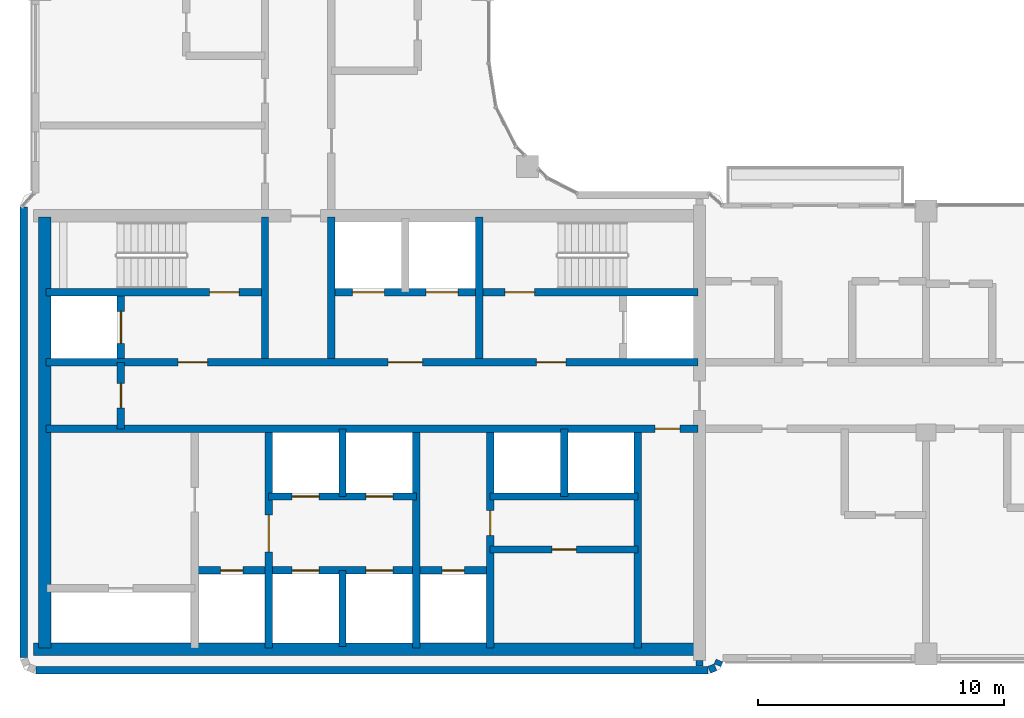
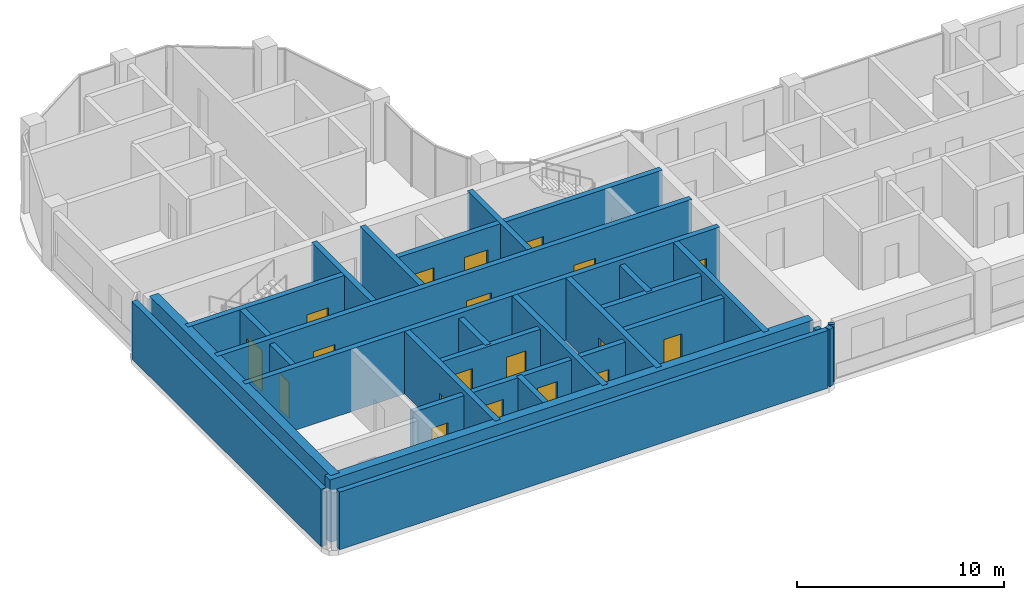
# One storey, part 10 of 19: 27 walls, 19 doors, 19 openings.
"""IFC4 building model written with IfcOpenShell, lengths in metres."""

from ifc_helpers import new_model, si_unit, direction, frame, frame_2d, origin, place, context, subcontext, project, spatial, rectangle, extrude, material, layer, layer_set, type_object, element, fill, save


model = new_model("IFC4")

# Units and contexts
model_context = context("Model", 3, precision=1e-05, world=origin(), true_north=direction((0.0, 1.0)))
body_context = subcontext(model_context, "Body", "Model", "MODEL_VIEW")
ifc_project = project(units=[si_unit("LENGTHUNIT", "METRE"), si_unit("AREAUNIT", "SQUARE_METRE"), si_unit("VOLUMEUNIT", "CUBIC_METRE"), si_unit("PLANEANGLEUNIT", "RADIAN"), si_unit("MASSUNIT", "GRAM", prefix="KILO")], contexts=[model_context])

# Site, building, storey
site_placement = place(None, origin())
site = spatial("IfcSite", under=ifc_project, at=site_placement, CompositionType="ELEMENT")
building_placement = place(site_placement, origin())
building = spatial("IfcBuilding", under=site, at=building_placement, Name="Ogive Portal Towers", CompositionType="ELEMENT")
storey_placement = place(building_placement, frame((0.0, 0.0, 218.0)))
storey = spatial("IfcBuildingStorey", under=building, at=storey_placement, Name="L54", CompositionType="ELEMENT", Elevation=218.0)

# Wall, opening, door
ifc_material_1 = material(Name="Concrete C60/75", Category="concrete")
ifc_layer_1 = layer(ifc_material_1, 0.300048828125)
ifc_layer_set_1 = layer_set([ifc_layer_1], Name="CORE WALL 300 C60")
wall_type_1 = type_object("IfcWallType", Name="CORE WALL 300 C60", PredefinedType="SHEAR", material=ifc_layer_set_1)
wall_1_placement = place(storey_placement, frame((40.800048828125, 21.75, 0.0), z_axis=(0.0, 0.0, 1.0), x_axis=(0.0, 1.0, 0.0)))
wall_1 = element("IfcWall", 1, at=wall_1_placement, inside=storey, type_object=wall_type_1, Name="Core wall X2 L54", PredefinedType="SHEAR", context=body_context, shape_type="SweptSolid", body=[
    extrude(rectangle(XDim=8.75, YDim=0.300048828125, at=frame_2d((4.375, 0.0))), origin(), (0.0, 0.0, 1.0), 3.699951171875),
])
opening_1_placement = place(wall_1_placement, frame((3.89990234375, 0.0, 0.0)))
opening_1 = element("IfcOpeningElement", 2, at=opening_1_placement, cuts=wall_1, Name="Opening D24-001", PredefinedType="OPENING", context=body_context, shape_type="SweptSolid", body=[
    extrude(rectangle(XDim=1.5, YDim=2.10009765625, at=frame_2d((0.75, 1.050048828125))), frame((0.0, 0.16015625, 0.0), z_axis=(0.0, -1.0, 0.0), x_axis=(1.0, 0.0, 0.0)), (0.0, 0.0, 1.0), 0.320068359375),
])
ifc_material_2 = material(Name="Steel fire door", Category="steel")
door_type_1 = type_object("IfcDoorType", Name="DT-SWING-1500x2100-FD90S", OperationType="SINGLE_SWING_LEFT", PredefinedType="DOOR", material=ifc_material_2)
door_1_placement = place(opening_1_placement, origin())
door_1 = element("IfcDoor", 3, at=door_1_placement, inside=storey, type_object=door_type_1, Name="Door D24-001", OperationType="SINGLE_SWING_RIGHT", OverallHeight=2.10009765625, OverallWidth=1.5, PredefinedType="DOOR", context=body_context, shape_type="SweptSolid", body=[
    extrude(rectangle(XDim=1.5, YDim=2.10009765625, at=frame_2d((0.75, 1.050048828125))), frame((0.0, 0.02490234375, 0.0), z_axis=(0.0, -1.0, 0.0), x_axis=(1.0, 0.0, 0.0)), (0.0, 0.0, 1.0), 0.050048828125),
])
fill(opening_1, door_1)

# Wall
wall_2_placement = place(storey_placement, frame((46.800048828125, 21.75, 0.0), z_axis=(0.0, 0.0, 1.0), x_axis=(0.0, 1.0, 0.0)))
element("IfcWall", 4, at=wall_2_placement, inside=storey, type_object=wall_type_1, Name="Core wall X3 L54", PredefinedType="SHEAR", context=body_context, shape_type="SweptSolid", body=[
    extrude(rectangle(XDim=8.75, YDim=0.300048828125, at=frame_2d((4.375, 0.0))), origin(), (0.0, 0.0, 1.0), 3.699951171875),
])

# Wall, opening, door
wall_3_placement = place(storey_placement, frame((49.800048828125, 21.75, 0.0), z_axis=(0.0, 0.0, 1.0), x_axis=(0.0, 1.0, 0.0)))
wall_3 = element("IfcWall", 5, at=wall_3_placement, inside=storey, type_object=wall_type_1, Name="Core wall X4 L54", PredefinedType="SHEAR", context=body_context, shape_type="SweptSolid", body=[
    extrude(rectangle(XDim=8.75, YDim=0.300048828125, at=frame_2d((4.375, 0.0))), origin(), (0.0, 0.0, 1.0), 3.699951171875),
])
opening_2_placement = place(wall_3_placement, frame((4.574951171875, 0.0, 0.0)))
opening_2 = element("IfcOpeningElement", 6, at=opening_2_placement, cuts=wall_3, Name="Opening D24-022", PredefinedType="OPENING", context=body_context, shape_type="SweptSolid", body=[
    extrude(rectangle(XDim=1.0, YDim=2.10009765625, at=frame_2d((0.5, 1.050048828125))), frame((0.0, 0.16015625, 0.0), z_axis=(0.0, -1.0, 0.0), x_axis=(1.0, 0.0, 0.0)), (0.0, 0.0, 1.0), 0.320068359375),
])
door_type_2 = type_object("IfcDoorType", Name="DT-SWING-1000x2100-FD90S", OperationType="SINGLE_SWING_LEFT", PredefinedType="DOOR", material=ifc_material_2)
door_2_placement = place(opening_2_placement, origin())
door_2 = element("IfcDoor", 7, at=door_2_placement, inside=storey, type_object=door_type_2, Name="Door D24-022", OperationType="SINGLE_SWING_LEFT", OverallHeight=2.10009765625, OverallWidth=1.0, PredefinedType="DOOR", context=body_context, shape_type="SweptSolid", body=[
    extrude(rectangle(XDim=1.0, YDim=2.10009765625, at=frame_2d((0.5, 1.050048828125))), frame((0.0, 0.02490234375, 0.0), z_axis=(0.0, -1.0, 0.0), x_axis=(1.0, 0.0, 0.0)), (0.0, 0.0, 1.0), 0.050048828125),
])
fill(opening_2, door_2)

# Wall
wall_4_placement = place(storey_placement, frame((55.800048828125, 21.75, 0.0), z_axis=(0.0, 0.0, 1.0), x_axis=(0.0, 1.0, 0.0)))
element("IfcWall", 8, at=wall_4_placement, inside=storey, type_object=wall_type_1, Name="Core wall X5 L54", PredefinedType="SHEAR", context=body_context, shape_type="SweptSolid", body=[
    extrude(rectangle(XDim=8.75, YDim=0.300048828125, at=frame_2d((4.375, 0.0))), origin(), (0.0, 0.0, 1.0), 3.699951171875),
])

# Wall, opening, door
wall_5_placement = place(storey_placement, frame((31.75, 30.64990234375, 0.0), z_axis=(0.0, 0.0, 1.0), x_axis=(1.0, 0.0, 0.0)))
wall_5 = element("IfcWall", 9, at=wall_5_placement, inside=storey, type_object=wall_type_1, Name="Core wall Y1 L54", PredefinedType="SHEAR", context=body_context, shape_type="SweptSolid", body=[
    extrude(rectangle(XDim=26.5, YDim=0.300048828125, at=frame_2d((13.25, 0.0))), origin(), (0.0, 0.0, 1.0), 3.699951171875),
])
opening_3_placement = place(wall_5_placement, frame((24.75, 0.0, 0.0)))
opening_3 = element("IfcOpeningElement", 10, at=opening_3_placement, cuts=wall_5, Name="Opening D24-009", PredefinedType="OPENING", context=body_context, shape_type="SweptSolid", body=[
    extrude(rectangle(XDim=1.0, YDim=2.10009765625, at=frame_2d((0.5, 1.050048828125))), frame((0.0, 0.16015625, 0.0), z_axis=(0.0, -1.0, 0.0), x_axis=(1.0, 0.0, 0.0)), (0.0, 0.0, 1.0), 0.320068359375),
])
door_3_placement = place(opening_3_placement, origin())
door_3 = element("IfcDoor", 11, at=door_3_placement, inside=storey, type_object=door_type_2, Name="Door D24-009", OperationType="SINGLE_SWING_LEFT", OverallHeight=2.10009765625, OverallWidth=1.0, PredefinedType="DOOR", context=body_context, shape_type="SweptSolid", body=[
    extrude(rectangle(XDim=1.0, YDim=2.10009765625, at=frame_2d((0.5, 1.050048828125))), frame((0.0, 0.02490234375, 0.0), z_axis=(0.0, -1.0, 0.0), x_axis=(1.0, 0.0, 0.0)), (0.0, 0.0, 1.0), 0.050048828125),
])
fill(opening_3, door_3)

# Wall, openings, doors
wall_6_placement = place(storey_placement, frame((31.75, 33.35009765625, 0.0), z_axis=(0.0, 0.0, 1.0), x_axis=(1.0, 0.0, 0.0)))
wall_6 = element("IfcWall", 12, at=wall_6_placement, inside=storey, type_object=wall_type_1, Name="Core wall Y2 L54", PredefinedType="SHEAR", context=body_context, shape_type="SweptSolid", body=[
    extrude(rectangle(XDim=26.5, YDim=0.300048828125, at=frame_2d((13.25, 0.0))), origin(), (0.0, 0.0, 1.0), 3.699951171875),
])
opening_4_placement = place(wall_6_placement, frame((13.89990234375, 0.0, 0.0)))
opening_4 = element("IfcOpeningElement", 13, at=opening_4_placement, cuts=wall_6, Name="Opening D24-002", PredefinedType="OPENING", context=body_context, shape_type="SweptSolid", body=[
    extrude(rectangle(XDim=1.39990234375, YDim=2.10009765625, at=frame_2d((0.699951171875, 1.050048828125))), frame((0.0, 0.16015625, 0.0), z_axis=(0.0, -1.0, 0.0), x_axis=(1.0, 0.0, 0.0)), (0.0, 0.0, 1.0), 0.320068359375),
])
opening_5_placement = place(wall_6_placement, frame((5.375, 0.0, 0.0)))
opening_5 = element("IfcOpeningElement", 14, at=opening_5_placement, cuts=wall_6, Name="Opening D24-003", PredefinedType="OPENING", context=body_context, shape_type="SweptSolid", body=[
    extrude(rectangle(XDim=1.199951171875, YDim=2.10009765625, at=frame_2d((0.60009765625, 1.050048828125))), frame((0.0, 0.16015625, 0.0), z_axis=(0.0, -1.0, 0.0), x_axis=(1.0, 0.0, 0.0)), (0.0, 0.0, 1.0), 0.320068359375),
])
opening_6_placement = place(wall_6_placement, frame((19.925048828125, 0.0, 0.0)))
opening_6 = element("IfcOpeningElement", 15, at=opening_6_placement, cuts=wall_6, Name="Opening D24-004", PredefinedType="OPENING", context=body_context, shape_type="SweptSolid", body=[
    extrude(rectangle(XDim=1.199951171875, YDim=2.10009765625, at=frame_2d((0.60009765625, 1.050048828125))), frame((0.0, 0.16015625, 0.0), z_axis=(0.0, -1.0, 0.0), x_axis=(1.0, 0.0, 0.0)), (0.0, 0.0, 1.0), 0.320068359375),
])
door_type_3 = type_object("IfcDoorType", Name="DT-SWING-1200x2100-FD90S", OperationType="SINGLE_SWING_LEFT", PredefinedType="DOOR", material=ifc_material_2)
door_4_placement = place(opening_5_placement, origin())
door_4 = element("IfcDoor", 16, at=door_4_placement, inside=storey, type_object=door_type_3, Name="Door D24-003", OperationType="SINGLE_SWING_LEFT", OverallHeight=2.10009765625, OverallWidth=1.199951171875, PredefinedType="DOOR", context=body_context, shape_type="SweptSolid", body=[
    extrude(rectangle(XDim=1.199951171875, YDim=2.10009765625, at=frame_2d((0.60009765625, 1.050048828125))), frame((0.0, 0.02490234375, 0.0), z_axis=(0.0, -1.0, 0.0), x_axis=(1.0, 0.0, 0.0)), (0.0, 0.0, 1.0), 0.050048828125),
])
fill(opening_5, door_4)
door_5_placement = place(opening_6_placement, origin())
door_5 = element("IfcDoor", 17, at=door_5_placement, inside=storey, type_object=door_type_3, Name="Door D24-004", OperationType="SINGLE_SWING_RIGHT", OverallHeight=2.10009765625, OverallWidth=1.199951171875, PredefinedType="DOOR", context=body_context, shape_type="SweptSolid", body=[
    extrude(rectangle(XDim=1.199951171875, YDim=2.10009765625, at=frame_2d((0.60009765625, 1.050048828125))), frame((0.0, 0.02490234375, 0.0), z_axis=(0.0, -1.0, 0.0), x_axis=(1.0, 0.0, 0.0)), (0.0, 0.0, 1.0), 0.050048828125),
])
fill(opening_6, door_5)
door_type_4 = type_object("IfcDoorType", Name="DT-SWING-1400x2100-FD90S", OperationType="SINGLE_SWING_LEFT", PredefinedType="DOOR", material=ifc_material_2)
door_6_placement = place(opening_4_placement, origin())
door_6 = element("IfcDoor", 18, at=door_6_placement, inside=storey, type_object=door_type_4, Name="Door D24-002", OperationType="SINGLE_SWING_RIGHT", OverallHeight=2.10009765625, OverallWidth=1.39990234375, PredefinedType="DOOR", context=body_context, shape_type="SweptSolid", body=[
    extrude(rectangle(XDim=1.39990234375, YDim=2.10009765625, at=frame_2d((0.699951171875, 1.050048828125))), frame((0.0, 0.02490234375, 0.0), z_axis=(0.0, -1.0, 0.0), x_axis=(1.0, 0.0, 0.0)), (0.0, 0.0, 1.0), 0.050048828125),
])
fill(opening_4, door_6)

# Wall, opening, door
wall_7_placement = place(storey_placement, frame((31.75, 36.199951171875, 0.0), z_axis=(0.0, 0.0, 1.0), x_axis=(1.0, 0.0, 0.0)))
wall_7 = element("IfcWall", 19, at=wall_7_placement, inside=storey, type_object=wall_type_1, Name="Core wall Y3a L54", PredefinedType="SHEAR", context=body_context, shape_type="SweptSolid", body=[
    extrude(rectangle(XDim=8.75, YDim=0.300048828125, at=frame_2d((4.375, 0.0))), origin(), (0.0, 0.0, 1.0), 3.699951171875),
])
opening_7_placement = place(wall_7_placement, frame((6.64990234375, 0.0, 0.0)))
opening_7 = element("IfcOpeningElement", 20, at=opening_7_placement, cuts=wall_7, Name="Opening D24-005", PredefinedType="OPENING", context=body_context, shape_type="SweptSolid", body=[
    extrude(rectangle(XDim=1.199951171875, YDim=2.10009765625, at=frame_2d((0.60009765625, 1.050048828125))), frame((0.0, 0.16015625, 0.0), z_axis=(0.0, -1.0, 0.0), x_axis=(1.0, 0.0, 0.0)), (0.0, 0.0, 1.0), 0.320068359375),
])
door_7_placement = place(opening_7_placement, origin())
door_7 = element("IfcDoor", 21, at=door_7_placement, inside=storey, type_object=door_type_3, Name="Door D24-005", OperationType="SINGLE_SWING_RIGHT", OverallHeight=2.10009765625, OverallWidth=1.199951171875, PredefinedType="DOOR", context=body_context, shape_type="SweptSolid", body=[
    extrude(rectangle(XDim=1.199951171875, YDim=2.10009765625, at=frame_2d((0.60009765625, 1.050048828125))), frame((0.0, 0.02490234375, 0.0), z_axis=(0.0, -1.0, 0.0), x_axis=(1.0, 0.0, 0.0)), (0.0, 0.0, 1.0), 0.050048828125),
])
fill(opening_7, door_7)

# Wall, openings, doors
wall_8_placement = place(storey_placement, frame((43.5, 36.199951171875, 0.0), z_axis=(0.0, 0.0, 1.0), x_axis=(1.0, 0.0, 0.0)))
wall_8 = element("IfcWall", 22, at=wall_8_placement, inside=storey, type_object=wall_type_1, Name="Core wall Y3b L54", PredefinedType="SHEAR", context=body_context, shape_type="SweptSolid", body=[
    extrude(rectangle(XDim=14.75, YDim=0.300048828125, at=frame_2d((7.375, 0.0))), origin(), (0.0, 0.0, 1.0), 3.699951171875),
])
opening_8_placement = place(wall_8_placement, frame((6.89990234375, 0.0, 0.0)))
opening_8 = element("IfcOpeningElement", 23, at=opening_8_placement, cuts=wall_8, Name="Opening D24-006", PredefinedType="OPENING", context=body_context, shape_type="SweptSolid", body=[
    extrude(rectangle(XDim=1.199951171875, YDim=2.10009765625, at=frame_2d((0.60009765625, 1.050048828125))), frame((0.0, 0.16015625, 0.0), z_axis=(0.0, -1.0, 0.0), x_axis=(1.0, 0.0, 0.0)), (0.0, 0.0, 1.0), 0.320068359375),
])
opening_9_placement = place(wall_8_placement, frame((0.699951171875, 0.0, 0.0)))
opening_9 = element("IfcOpeningElement", 24, at=opening_9_placement, cuts=wall_8, Name="Opening D24-016", PredefinedType="OPENING", context=body_context, shape_type="SweptSolid", body=[
    extrude(rectangle(XDim=1.300048828125, YDim=2.39990234375, at=frame_2d((0.64990234375, 1.199951171875))), frame((0.0, 0.16015625, 0.0), z_axis=(0.0, -1.0, 0.0), x_axis=(1.0, 0.0, 0.0)), (0.0, 0.0, 1.0), 0.320068359375),
])
opening_10_placement = place(wall_8_placement, frame((3.699951171875, 0.0, 0.0)))
opening_10 = element("IfcOpeningElement", 25, at=opening_10_placement, cuts=wall_8, Name="Opening D24-017", PredefinedType="OPENING", context=body_context, shape_type="SweptSolid", body=[
    extrude(rectangle(XDim=1.300048828125, YDim=2.39990234375, at=frame_2d((0.64990234375, 1.199951171875))), frame((0.0, 0.16015625, 0.0), z_axis=(0.0, -1.0, 0.0), x_axis=(1.0, 0.0, 0.0)), (0.0, 0.0, 1.0), 0.320068359375),
])
ifc_material_3 = material(Name="Stainless steel", Category="steel")
door_type_5 = type_object("IfcDoorType", Name="DT-LD-1300x2400", OperationType="SLIDING_TO_LEFT", PredefinedType="DOOR", material=ifc_material_3)
door_8_placement = place(opening_9_placement, origin())
door_8 = element("IfcDoor", 26, at=door_8_placement, inside=storey, type_object=door_type_5, Name="Door D24-016", OperationType="SLIDING_TO_LEFT", OverallHeight=2.39990234375, OverallWidth=1.300048828125, PredefinedType="DOOR", context=body_context, shape_type="SweptSolid", body=[
    extrude(rectangle(XDim=1.300048828125, YDim=2.39990234375, at=frame_2d((0.64990234375, 1.199951171875))), frame((0.0, 0.02490234375, 0.0), z_axis=(0.0, -1.0, 0.0), x_axis=(1.0, 0.0, 0.0)), (0.0, 0.0, 1.0), 0.050048828125),
])
fill(opening_9, door_8)
door_9_placement = place(opening_10_placement, origin())
door_9 = element("IfcDoor", 27, at=door_9_placement, inside=storey, type_object=door_type_5, Name="Door D24-017", OperationType="SLIDING_TO_LEFT", OverallHeight=2.39990234375, OverallWidth=1.300048828125, PredefinedType="DOOR", context=body_context, shape_type="SweptSolid", body=[
    extrude(rectangle(XDim=1.300048828125, YDim=2.39990234375, at=frame_2d((0.64990234375, 1.199951171875))), frame((0.0, 0.02490234375, 0.0), z_axis=(0.0, -1.0, 0.0), x_axis=(1.0, 0.0, 0.0)), (0.0, 0.0, 1.0), 0.050048828125),
])
fill(opening_10, door_9)
door_10_placement = place(opening_8_placement, origin())
door_10 = element("IfcDoor", 28, at=door_10_placement, inside=storey, type_object=door_type_3, Name="Door D24-006", OperationType="SINGLE_SWING_LEFT", OverallHeight=2.10009765625, OverallWidth=1.199951171875, PredefinedType="DOOR", context=body_context, shape_type="SweptSolid", body=[
    extrude(rectangle(XDim=1.199951171875, YDim=2.10009765625, at=frame_2d((0.60009765625, 1.050048828125))), frame((0.0, 0.02490234375, 0.0), z_axis=(0.0, -1.0, 0.0), x_axis=(1.0, 0.0, 0.0)), (0.0, 0.0, 1.0), 0.050048828125),
])
fill(opening_8, door_10)

# Walls
for number, where, z_axis, x_axis, name in (
    (29, (40.64990234375, 33.5, 0.0), (0.0, 0.0, 1.0), (0.0, 1.0, 0.0), "Core wall X6 L54"),
    (30, (43.35009765625, 33.5, 0.0), (0.0, 0.0, 1.0), (0.0, 1.0, 0.0), "Core wall X7 L54"),
):
    element("IfcWall", number, at=place(storey_placement, frame(where, z_axis=z_axis, x_axis=x_axis)), inside=storey, type_object=wall_type_1, Name=name, PredefinedType="SHEAR", context=body_context, shape_type="SweptSolid", body=[
        extrude(rectangle(XDim=5.75, YDim=0.300048828125, at=frame_2d((2.875, 0.0))), origin(), (0.0, 0.0, 1.0), 3.699951171875),
    ])

# Wall, opening, door
wall_9_placement = place(storey_placement, frame((34.800048828125, 33.5, 0.0), z_axis=(0.0, 0.0, 1.0), x_axis=(0.0, 1.0, 0.0)))
wall_9 = element("IfcWall", 31, at=wall_9_placement, inside=storey, type_object=wall_type_1, Name="Core wall X8 L54", PredefinedType="SHEAR", context=body_context, shape_type="SweptSolid", body=[
    extrude(rectangle(XDim=2.550048828125, YDim=0.300048828125, at=frame_2d((1.27490234375, 0.0))), origin(), (0.0, 0.0, 1.0), 3.699951171875),
])
opening_11_placement = place(wall_9_placement, frame((0.625, 0.0, 0.0)))
opening_11 = element("IfcOpeningElement", 32, at=opening_11_placement, cuts=wall_9, Name="Opening D24-018", PredefinedType="OPENING", context=body_context, shape_type="SweptSolid", body=[
    extrude(rectangle(XDim=1.300048828125, YDim=2.39990234375, at=frame_2d((0.64990234375, 1.199951171875))), frame((0.0, 0.16015625, 0.0), z_axis=(0.0, -1.0, 0.0), x_axis=(1.0, 0.0, 0.0)), (0.0, 0.0, 1.0), 0.320068359375),
])
door_11_placement = place(opening_11_placement, origin())
door_11 = element("IfcDoor", 33, at=door_11_placement, inside=storey, type_object=door_type_5, Name="Door D24-018", OperationType="SLIDING_TO_LEFT", OverallHeight=2.39990234375, OverallWidth=1.300048828125, PredefinedType="DOOR", context=body_context, shape_type="SweptSolid", body=[
    extrude(rectangle(XDim=1.300048828125, YDim=2.39990234375, at=frame_2d((0.64990234375, 1.199951171875))), frame((0.0, 0.02490234375, 0.0), z_axis=(0.0, -1.0, 0.0), x_axis=(1.0, 0.0, 0.0)), (0.0, 0.0, 1.0), 0.050048828125),
])
fill(opening_11, door_11)

# Walls
wall_10_placement = place(storey_placement, frame((49.35009765625, 33.5, 0.0), z_axis=(0.0, 0.0, 1.0), x_axis=(0.0, 1.0, 0.0)))
element("IfcWall", 34, at=wall_10_placement, inside=storey, type_object=wall_type_1, Name="Core wall X9 L54", PredefinedType="SHEAR", context=body_context, shape_type="SweptSolid", body=[
    extrude(rectangle(XDim=5.75, YDim=0.300048828125, at=frame_2d((2.875, 0.0))), origin(), (0.0, 0.0, 1.0), 3.699951171875),
])
ifc_layer_2 = layer(ifc_material_1, 0.5)
ifc_layer_set_2 = layer_set([ifc_layer_2], Name="CORE WALL 500 C60")
wall_type_2 = type_object("IfcWallType", Name="CORE WALL 500 C60", PredefinedType="SHEAR", material=ifc_layer_set_2)
wall_11_placement = place(storey_placement, frame((31.699951171875, 21.75, 0.0), z_axis=(0.0, 0.0, 1.0), x_axis=(0.0, 1.0, 0.0)))
element("IfcWall", 35, at=wall_11_placement, inside=storey, type_object=wall_type_2, Name="Core wall W L54", PredefinedType="SHEAR", context=body_context, shape_type="SweptSolid", body=[
    extrude(rectangle(XDim=17.5, YDim=0.5, at=frame_2d((8.75, 0.0))), origin(), (0.0, 0.0, 1.0), 3.699951171875),
])
wall_12_placement = place(storey_placement, frame((31.25, 21.699951171875, 0.0), z_axis=(0.0, 0.0, 1.0), x_axis=(1.0, 0.0, 0.0)))
element("IfcWall", 36, at=wall_12_placement, inside=storey, type_object=wall_type_2, Name="Core wall S L54", PredefinedType="SHEAR", context=body_context, shape_type="SweptSolid", body=[
    extrude(rectangle(XDim=27.0, YDim=0.5, at=frame_2d((13.5, 0.0))), origin(), (0.0, 0.0, 1.0), 3.699951171875),
])
ifc_material_4 = material(Name="Limestone cladding on lightweight block wall", Category="masonry")
ifc_layer_3 = layer(ifc_material_4, 0.300048828125)
ifc_layer_set_3 = layer_set([ifc_layer_3], Name="EXTERNAL WALL 300 STONE")
wall_type_3 = type_object("IfcWallType", Name="EXTERNAL WALL 300 STONE", PredefinedType="SOLIDWALL", material=ifc_layer_set_3)
wall_13_placement = place(storey_placement, frame((30.85009765625, 39.669921875, 0.0), z_axis=(0.0, 0.0, 1.0), x_axis=(0.0, -1.0, 0.0)))
element("IfcWall", 37, at=wall_13_placement, inside=storey, type_object=wall_type_3, Name="A:L54:f14:r0:wall", PredefinedType="SOLIDWALL", context=body_context, shape_type="SweptSolid", body=[
    extrude(rectangle(XDim=18.310302734375, YDim=0.300048828125, at=frame_2d((9.1552734375, 0.0))), origin(), (0.0, 0.0, 1.0), 3.39990234375),
])
wall_14_placement = place(storey_placement, frame((31.359619140625, 20.85009765625, 0.0), z_axis=(0.0, 0.0, 1.0), x_axis=(1.0, 0.0, 0.0)))
element("IfcWall", 38, at=wall_14_placement, inside=storey, type_object=wall_type_3, Name="A:L54:f17:r0:wall", PredefinedType="SOLIDWALL", context=body_context, shape_type="SweptSolid", body=[
    extrude(rectangle(XDim=27.28076171875, YDim=0.300048828125, at=frame_2d((13.640380859375, 0.0))), origin(), (0.0, 0.0, 1.0), 3.39990234375),
])
wall_15_placement = place(storey_placement, frame((58.69775390625, 20.861328125, 0.0), z_axis=(0.0, 0.0, 1.0), x_axis=(0.923757413239, 0.38297812142, 0.0)))
element("IfcWall", 39, at=wall_15_placement, inside=storey, type_object=wall_type_3, Name="A:L54:f18:r0:wall", PredefinedType="SOLIDWALL", context=body_context, shape_type="SweptSolid", body=[
    extrude(rectangle(XDim=0.275390625, YDim=0.300048828125, at=frame_2d((0.1376953125, 0.0))), origin(), (0.0, 0.0, 1.0), 3.39990234375),
])
wall_16_placement = place(storey_placement, frame((59.033203125, 21.0478515625, 0.0), z_axis=(0.0, 0.0, 1.0), x_axis=(0.383262727373, 0.923639367831, 0.0)))
element("IfcWall", 40, at=wall_16_placement, inside=storey, type_object=wall_type_3, Name="A:L54:f19:r0:wall", PredefinedType="SOLIDWALL", context=body_context, shape_type="SweptSolid", body=[
    extrude(rectangle(XDim=0.205078125, YDim=0.300048828125, at=frame_2d((0.1025390625, 0.0))), origin(), (0.0, 0.0, 1.0), 3.39990234375),
])

# Wall, opening, door
ifc_material_5 = material(Name="Gypsum board partition on steel studs", Category="steel")
ifc_layer_4 = layer(ifc_material_5, 0.300048828125)
ifc_layer_set_4 = layer_set([ifc_layer_4], Name="WT-PART-300")
wall_type_4 = type_object("IfcWallType", Name="WT-PART-300", PredefinedType="PARTITIONING", material=ifc_layer_set_4)
wall_17_placement = place(storey_placement, frame((49.800048828125, 25.75, 0.0), z_axis=(0.0, 0.0, 1.0), x_axis=(1.0, 0.0, 0.0)))
wall_17 = element("IfcWall", 41, at=wall_17_placement, inside=storey, type_object=wall_type_4, Name="Wall pw:003:L54", PredefinedType="PARTITIONING", context=body_context, shape_type="SweptSolid", body=[
    extrude(rectangle(XDim=6.0, YDim=0.300048828125, at=frame_2d((3.0, 0.0))), origin(), (0.0, 0.0, 1.0), 3.39990234375),
])
opening_12_placement = place(wall_17_placement, frame((2.5, 0.0, 0.0)))
opening_12 = element("IfcOpeningElement", 42, at=opening_12_placement, cuts=wall_17, Name="Opening D24-023", PredefinedType="OPENING", context=body_context, shape_type="SweptSolid", body=[
    extrude(rectangle(XDim=1.0, YDim=2.10009765625, at=frame_2d((0.5, 1.050048828125))), frame((0.0, 0.16015625, 0.0), z_axis=(0.0, -1.0, 0.0), x_axis=(1.0, 0.0, 0.0)), (0.0, 0.0, 1.0), 0.320068359375),
])
door_type_6 = type_object("IfcDoorType", Name="DT-SWING-1000x2100-FD60S", OperationType="SINGLE_SWING_LEFT", PredefinedType="DOOR", material=ifc_material_2)
door_12_placement = place(opening_12_placement, origin())
door_12 = element("IfcDoor", 43, at=door_12_placement, inside=storey, type_object=door_type_6, Name="Door D24-023", OperationType="SINGLE_SWING_RIGHT", OverallHeight=2.10009765625, OverallWidth=1.0, PredefinedType="DOOR", context=body_context, shape_type="SweptSolid", body=[
    extrude(rectangle(XDim=1.0, YDim=2.10009765625, at=frame_2d((0.5, 1.050048828125))), frame((0.0, 0.02490234375, 0.0), z_axis=(0.0, -1.0, 0.0), x_axis=(1.0, 0.0, 0.0)), (0.0, 0.0, 1.0), 0.050048828125),
])
fill(opening_12, door_12)

# Wall
ifc_layer_5 = layer(ifc_material_5, 0.300048828125)
ifc_layer_set_5 = layer_set([ifc_layer_5], Name="WT-PART-300-EI 120")
wall_type_5 = type_object("IfcWallType", Name="WT-PART-300-EI 120", PredefinedType="PARTITIONING", material=ifc_layer_set_5)
wall_18_placement = place(storey_placement, frame((58.300048828125, 21.25, 0.0), z_axis=(0.0, 0.0, 1.0), x_axis=(0.0, -1.0, 0.0)))
element("IfcWall", 44, at=wall_18_placement, inside=storey, type_object=wall_type_5, Name="Wall L54:wc01", PredefinedType="PARTITIONING", context=body_context, shape_type="SweptSolid", body=[
    extrude(rectangle(XDim=0.239990234375, YDim=0.300048828125, at=frame_2d((0.1201171875, 0.0))), origin(), (0.0, 0.0, 1.0), 3.39990234375),
])

# Wall, openings, doors
ifc_material_6 = material(Name="Concrete C40/50", Category="concrete")
ifc_layer_6 = layer(ifc_material_6, 0.300048828125)
ifc_layer_set_6 = layer_set([ifc_layer_6], Name="WT-SHAFT-300")
wall_type_6 = type_object("IfcWallType", Name="WT-SHAFT-300", PredefinedType="SOLIDWALL", material=ifc_layer_set_6)
wall_19_placement = place(storey_placement, frame((37.800048828125, 24.89990234375, 0.0), z_axis=(0.0, 0.0, 1.0), x_axis=(1.0, 0.0, 0.0)))
wall_19 = element("IfcWall", 45, at=wall_19_placement, inside=storey, type_object=wall_type_6, Name="Wall pw:002:L54", PredefinedType="SOLIDWALL", context=body_context, shape_type="SweptSolid", body=[
    extrude(rectangle(XDim=12.0, YDim=0.300048828125, at=frame_2d((6.0, 0.0))), origin(), (0.0, 0.0, 1.0), 3.39990234375),
])
opening_13_placement = place(wall_19_placement, frame((1.050048828125, 0.0, 0.0)))
opening_13 = element("IfcOpeningElement", 46, at=opening_13_placement, cuts=wall_19, Name="Opening D24-007", PredefinedType="OPENING", context=body_context, shape_type="SweptSolid", body=[
    extrude(rectangle(XDim=0.89990234375, YDim=2.10009765625, at=frame_2d((0.449951171875, 1.050048828125))), frame((0.0, 0.16015625, 0.0), z_axis=(0.0, -1.0, 0.0), x_axis=(1.0, 0.0, 0.0)), (0.0, 0.0, 1.0), 0.320068359375),
])
opening_14_placement = place(wall_19_placement, frame((10.050048828125, 0.0, 0.0)))
opening_14 = element("IfcOpeningElement", 47, at=opening_14_placement, cuts=wall_19, Name="Opening D24-008", PredefinedType="OPENING", context=body_context, shape_type="SweptSolid", body=[
    extrude(rectangle(XDim=0.89990234375, YDim=2.10009765625, at=frame_2d((0.449951171875, 1.050048828125))), frame((0.0, 0.16015625, 0.0), z_axis=(0.0, -1.0, 0.0), x_axis=(1.0, 0.0, 0.0)), (0.0, 0.0, 1.0), 0.320068359375),
])
opening_15_placement = place(wall_19_placement, frame((3.949951171875, 0.0, 0.0)))
opening_15 = element("IfcOpeningElement", 48, at=opening_15_placement, cuts=wall_19, Name="Opening D24-012", PredefinedType="OPENING", context=body_context, shape_type="SweptSolid", body=[
    extrude(rectangle(XDim=1.10009765625, YDim=2.39990234375, at=frame_2d((0.550048828125, 1.199951171875))), frame((0.0, 0.16015625, 0.0), z_axis=(0.0, -1.0, 0.0), x_axis=(1.0, 0.0, 0.0)), (0.0, 0.0, 1.0), 0.320068359375),
])
opening_16_placement = place(wall_19_placement, frame((6.949951171875, 0.0, 0.0)))
opening_16 = element("IfcOpeningElement", 49, at=opening_16_placement, cuts=wall_19, Name="Opening D24-013", PredefinedType="OPENING", context=body_context, shape_type="SweptSolid", body=[
    extrude(rectangle(XDim=1.10009765625, YDim=2.39990234375, at=frame_2d((0.550048828125, 1.199951171875))), frame((0.0, 0.16015625, 0.0), z_axis=(0.0, -1.0, 0.0), x_axis=(1.0, 0.0, 0.0)), (0.0, 0.0, 1.0), 0.320068359375),
])
door_type_7 = type_object("IfcDoorType", Name="DT-LD-1100x2400", OperationType="SLIDING_TO_LEFT", PredefinedType="DOOR", material=ifc_material_3)
door_13_placement = place(opening_15_placement, origin())
door_13 = element("IfcDoor", 50, at=door_13_placement, inside=storey, type_object=door_type_7, Name="Door D24-012", OperationType="SLIDING_TO_LEFT", OverallHeight=2.39990234375, OverallWidth=1.10009765625, PredefinedType="DOOR", context=body_context, shape_type="SweptSolid", body=[
    extrude(rectangle(XDim=1.10009765625, YDim=2.39990234375, at=frame_2d((0.550048828125, 1.199951171875))), frame((0.0, 0.02490234375, 0.0), z_axis=(0.0, -1.0, 0.0), x_axis=(1.0, 0.0, 0.0)), (0.0, 0.0, 1.0), 0.050048828125),
])
fill(opening_15, door_13)
door_14_placement = place(opening_16_placement, origin())
door_14 = element("IfcDoor", 51, at=door_14_placement, inside=storey, type_object=door_type_7, Name="Door D24-013", OperationType="SLIDING_TO_LEFT", OverallHeight=2.39990234375, OverallWidth=1.10009765625, PredefinedType="DOOR", context=body_context, shape_type="SweptSolid", body=[
    extrude(rectangle(XDim=1.10009765625, YDim=2.39990234375, at=frame_2d((0.550048828125, 1.199951171875))), frame((0.0, 0.02490234375, 0.0), z_axis=(0.0, -1.0, 0.0), x_axis=(1.0, 0.0, 0.0)), (0.0, 0.0, 1.0), 0.050048828125),
])
fill(opening_16, door_14)
door_type_8 = type_object("IfcDoorType", Name="DT-SWING-900x2100-FD90S", OperationType="SINGLE_SWING_LEFT", PredefinedType="DOOR", material=ifc_material_2)
door_15_placement = place(opening_13_placement, origin())
door_15 = element("IfcDoor", 52, at=door_15_placement, inside=storey, type_object=door_type_8, Name="Riser access door D24-007", OperationType="SINGLE_SWING_LEFT", OverallHeight=2.10009765625, OverallWidth=0.89990234375, PredefinedType="DOOR", context=body_context, shape_type="SweptSolid", body=[
    extrude(rectangle(XDim=0.89990234375, YDim=2.10009765625, at=frame_2d((0.449951171875, 1.050048828125))), frame((0.0, 0.02490234375, 0.0), z_axis=(0.0, -1.0, 0.0), x_axis=(1.0, 0.0, 0.0)), (0.0, 0.0, 1.0), 0.050048828125),
])
fill(opening_13, door_15)
door_16_placement = place(opening_14_placement, origin())
door_16 = element("IfcDoor", 53, at=door_16_placement, inside=storey, type_object=door_type_8, Name="Riser access door D24-008", OperationType="SINGLE_SWING_RIGHT", OverallHeight=2.10009765625, OverallWidth=0.89990234375, PredefinedType="DOOR", context=body_context, shape_type="SweptSolid", body=[
    extrude(rectangle(XDim=0.89990234375, YDim=2.10009765625, at=frame_2d((0.449951171875, 1.050048828125))), frame((0.0, 0.02490234375, 0.0), z_axis=(0.0, -1.0, 0.0), x_axis=(1.0, 0.0, 0.0)), (0.0, 0.0, 1.0), 0.050048828125),
])
fill(opening_14, door_16)

wall_20_placement = place(storey_placement, frame((40.800048828125, 27.89990234375, 0.0), z_axis=(0.0, 0.0, 1.0), x_axis=(1.0, 0.0, 0.0)))
wall_20 = element("IfcWall", 54, at=wall_20_placement, inside=storey, type_object=wall_type_6, Name="Wall pw:004:L54", PredefinedType="SOLIDWALL", context=body_context, shape_type="SweptSolid", body=[
    extrude(rectangle(XDim=6.0, YDim=0.300048828125, at=frame_2d((3.0, 0.0))), origin(), (0.0, 0.0, 1.0), 3.39990234375),
])
opening_17_placement = place(wall_20_placement, frame((0.949951171875, 0.0, 0.0)))
opening_17 = element("IfcOpeningElement", 55, at=opening_17_placement, cuts=wall_20, Name="Opening D24-014", PredefinedType="OPENING", context=body_context, shape_type="SweptSolid", body=[
    extrude(rectangle(XDim=1.10009765625, YDim=2.39990234375, at=frame_2d((0.550048828125, 1.199951171875))), frame((0.0, 0.16015625, 0.0), z_axis=(0.0, -1.0, 0.0), x_axis=(1.0, 0.0, 0.0)), (0.0, 0.0, 1.0), 0.320068359375),
])
opening_18_placement = place(wall_20_placement, frame((3.949951171875, 0.0, 0.0)))
opening_18 = element("IfcOpeningElement", 56, at=opening_18_placement, cuts=wall_20, Name="Opening D24-015", PredefinedType="OPENING", context=body_context, shape_type="SweptSolid", body=[
    extrude(rectangle(XDim=1.10009765625, YDim=2.39990234375, at=frame_2d((0.550048828125, 1.199951171875))), frame((0.0, 0.16015625, 0.0), z_axis=(0.0, -1.0, 0.0), x_axis=(1.0, 0.0, 0.0)), (0.0, 0.0, 1.0), 0.320068359375),
])
door_17_placement = place(opening_17_placement, origin())
door_17 = element("IfcDoor", 57, at=door_17_placement, inside=storey, type_object=door_type_7, Name="Door D24-014", OperationType="SLIDING_TO_LEFT", OverallHeight=2.39990234375, OverallWidth=1.10009765625, PredefinedType="DOOR", context=body_context, shape_type="SweptSolid", body=[
    extrude(rectangle(XDim=1.10009765625, YDim=2.39990234375, at=frame_2d((0.550048828125, 1.199951171875))), frame((0.0, 0.02490234375, 0.0), z_axis=(0.0, -1.0, 0.0), x_axis=(1.0, 0.0, 0.0)), (0.0, 0.0, 1.0), 0.050048828125),
])
fill(opening_17, door_17)
door_18_placement = place(opening_18_placement, origin())
door_18 = element("IfcDoor", 58, at=door_18_placement, inside=storey, type_object=door_type_7, Name="Door D24-015", OperationType="SLIDING_TO_LEFT", OverallHeight=2.39990234375, OverallWidth=1.10009765625, PredefinedType="DOOR", context=body_context, shape_type="SweptSolid", body=[
    extrude(rectangle(XDim=1.10009765625, YDim=2.39990234375, at=frame_2d((0.550048828125, 1.199951171875))), frame((0.0, 0.02490234375, 0.0), z_axis=(0.0, -1.0, 0.0), x_axis=(1.0, 0.0, 0.0)), (0.0, 0.0, 1.0), 0.050048828125),
])
fill(opening_18, door_18)

# Wall
wall_21_placement = place(storey_placement, frame((49.800048828125, 27.89990234375, 0.0), z_axis=(0.0, 0.0, 1.0), x_axis=(1.0, 0.0, 0.0)))
element("IfcWall", 59, at=wall_21_placement, inside=storey, type_object=wall_type_6, Name="Wall pw:005:L54", PredefinedType="SOLIDWALL", context=body_context, shape_type="SweptSolid", body=[
    extrude(rectangle(XDim=6.0, YDim=0.300048828125, at=frame_2d((3.0, 0.0))), origin(), (0.0, 0.0, 1.0), 3.39990234375),
])

# Wall, opening, door
wall_22_placement = place(storey_placement, frame((34.800048828125, 30.64990234375, 0.0), z_axis=(0.0, 0.0, 1.0), x_axis=(0.0, 1.0, 0.0)))
wall_22 = element("IfcWall", 60, at=wall_22_placement, inside=storey, type_object=wall_type_6, Name="Wall pw:006:L54", PredefinedType="SOLIDWALL", context=body_context, shape_type="SweptSolid", body=[
    extrude(rectangle(XDim=2.7001953125, YDim=0.300048828125, at=frame_2d((1.35009765625, 0.0))), origin(), (0.0, 0.0, 1.0), 3.39990234375),
])
opening_19_placement = place(wall_22_placement, frame((0.85009765625, 0.0, 0.0)))
opening_19 = element("IfcOpeningElement", 61, at=opening_19_placement, cuts=wall_22, Name="Opening D24-024", PredefinedType="OPENING", context=body_context, shape_type="SweptSolid", body=[
    extrude(rectangle(XDim=1.0, YDim=2.10009765625, at=frame_2d((0.5, 1.050048828125))), frame((0.0, 0.16015625, 0.0), z_axis=(0.0, -1.0, 0.0), x_axis=(1.0, 0.0, 0.0)), (0.0, 0.0, 1.0), 0.320068359375),
])
door_19_placement = place(opening_19_placement, origin())
door_19 = element("IfcDoor", 62, at=door_19_placement, inside=storey, type_object=door_type_2, Name="Door D24-024", OperationType="SINGLE_SWING_LEFT", OverallHeight=2.10009765625, OverallWidth=1.0, PredefinedType="DOOR", context=body_context, shape_type="SweptSolid", body=[
    extrude(rectangle(XDim=1.0, YDim=2.10009765625, at=frame_2d((0.5, 1.050048828125))), frame((0.0, 0.02490234375, 0.0), z_axis=(0.0, -1.0, 0.0), x_axis=(1.0, 0.0, 0.0)), (0.0, 0.0, 1.0), 0.050048828125),
])
fill(opening_19, door_19)

# Walls
wall_23_placement = place(storey_placement, frame((43.800048828125, 21.800048828125, 0.0), z_axis=(0.0, 0.0, 1.0), x_axis=(0.0, 1.0, 0.0)))
element("IfcWall", 63, at=wall_23_placement, inside=storey, type_object=wall_type_6, Name="Wall pw:007:L54", PredefinedType="SOLIDWALL", context=body_context, shape_type="SweptSolid", body=[
    extrude(rectangle(XDim=3.099853515625, YDim=0.300048828125, at=frame_2d((1.5498046875, 0.0))), origin(), (0.0, 0.0, 1.0), 3.39990234375),
])
for number, where, z_axis, x_axis, name in (
    (64, (43.800048828125, 27.89990234375, 0.0), (0.0, 0.0, 1.0), (0.0, 1.0, 0.0), "Wall pw:008:L54"),
    (65, (52.800048828125, 27.89990234375, 0.0), (0.0, 0.0, 1.0), (0.0, 1.0, 0.0), "Wall pw:010:L54"),
):
    element("IfcWall", number, at=place(storey_placement, frame(where, z_axis=z_axis, x_axis=x_axis)), inside=storey, type_object=wall_type_6, Name=name, PredefinedType="SOLIDWALL", context=body_context, shape_type="SweptSolid", body=[
        extrude(rectangle(XDim=2.75, YDim=0.300048828125, at=frame_2d((1.375, 0.0))), origin(), (0.0, 0.0, 1.0), 3.39990234375),
    ])

save(model, "model.ifc")
